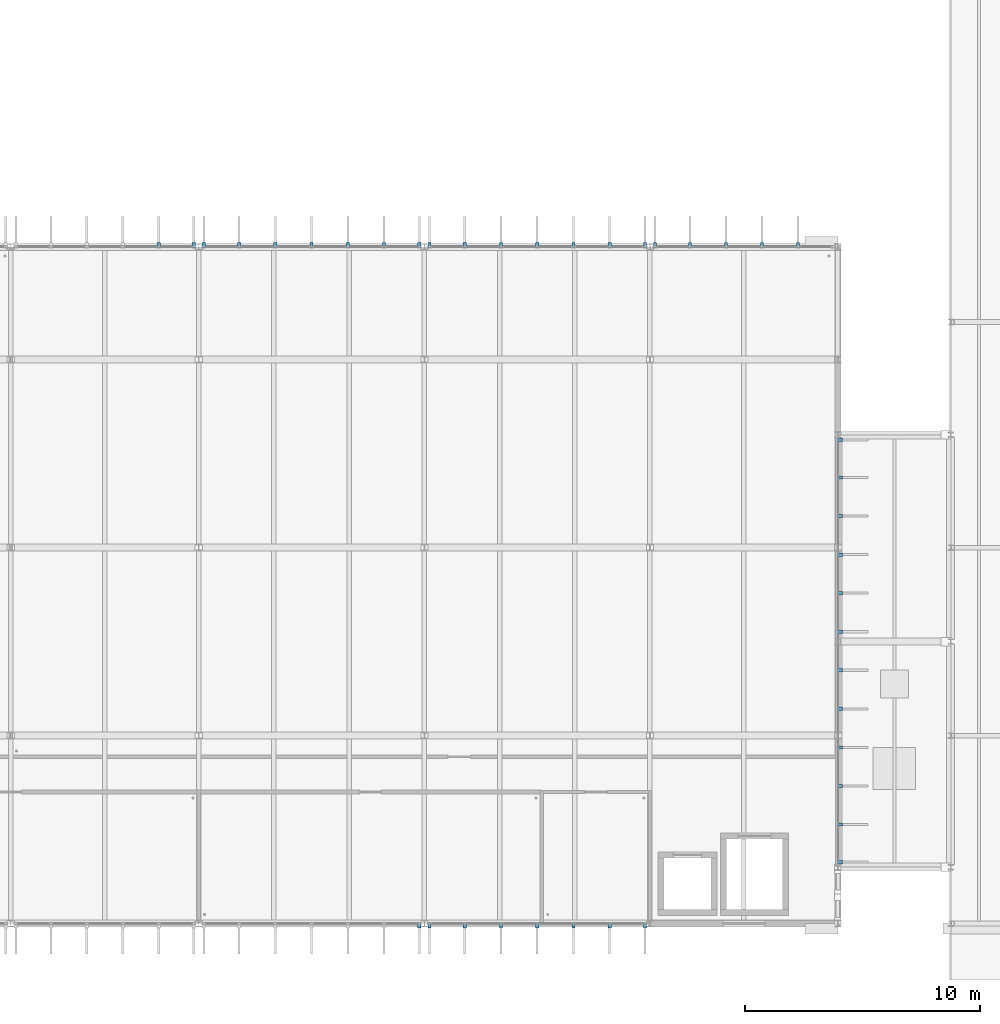
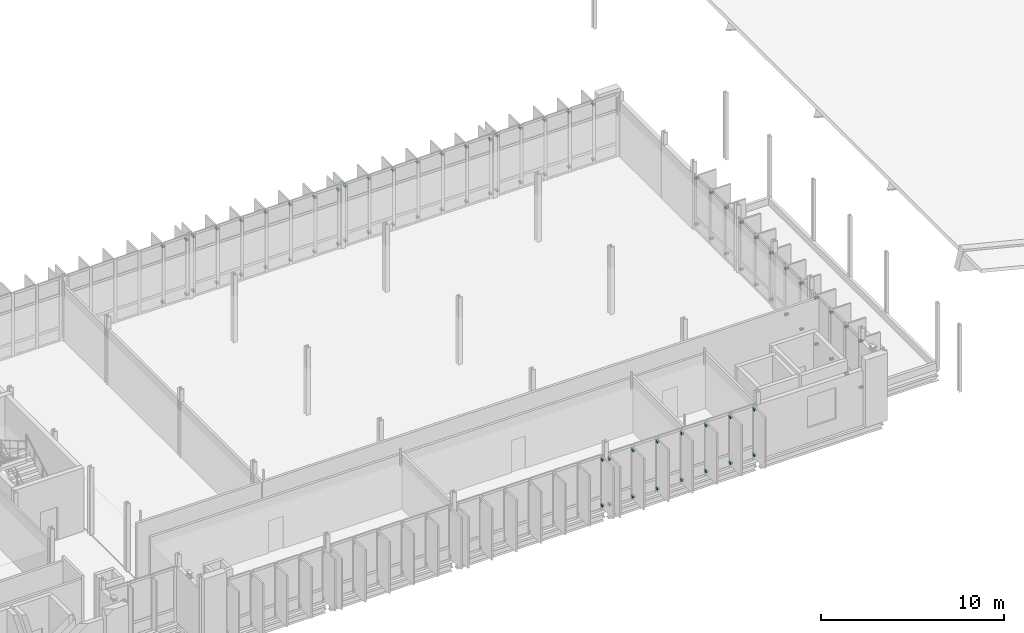
# One storey, part 82 of 93: 82 discrete accessories.
"""IFC4 building model written with IfcOpenShell, lengths in metres."""

from ifc_helpers import new_model, si_unit, direction, frame, origin, origin_2d, place, context, subcontext, project, spatial, rectangle, extrude, material, type_object, element, save


model = new_model("IFC4")

# Units and contexts
model_context = context("Model", 3, precision=1e-05, world=origin(), true_north=direction((0.0, 1.0)))
body_context = subcontext(model_context, "Body", "Model", "MODEL_VIEW")
ifc_project = project(units=[si_unit("LENGTHUNIT", "METRE"), si_unit("AREAUNIT", "SQUARE_METRE"), si_unit("VOLUMEUNIT", "CUBIC_METRE"), si_unit("PLANEANGLEUNIT", "RADIAN"), si_unit("MASSUNIT", "GRAM", prefix="KILO")], contexts=[model_context])

# Site, building, storey
site_placement = place(None, origin())
site = spatial("IfcSite", under=ifc_project, at=site_placement, CompositionType="ELEMENT")
building_placement = place(site_placement, origin())
building = spatial("IfcBuilding", under=site, at=building_placement, Name="Dunescarp Central Library", CompositionType="ELEMENT")
storey_placement = place(building_placement, frame((0.0, 0.0, 14.10009765625)))
storey = spatial("IfcBuildingStorey", under=building, at=storey_placement, Name="L03", CompositionType="ELEMENT", Elevation=14.10009765625)

# Discrete accessories
ifc_material = material(Name="Stainless steel Grade 316L", Category="steel")
discrete_accessory_type = type_object("IfcDiscreteAccessoryType", Name="ARC-ACC-BRK", PredefinedType="BRACKET", material=ifc_material)
for number, where, z_axis, x_axis, name in (
    (1, (106.985107421875, 4.719970703125, 0.27685546875), (0.0, 0.0, 1.0), (0.0, -1.0, 0.0), "Fin bracket BRK-FIN-L03-0675-B"),
    (2, (106.985107421875, 4.719970703125, 3.3447265625), (0.0, 0.0, 1.0), (0.0, -1.0, 0.0), "Fin bracket BRK-FIN-L03-0675-T"),
    (3, (116.5849609375, 4.719970703125, 0.27685546875), (0.0, 0.0, 1.0), (0.0, -1.0, 0.0), "Fin bracket BRK-FIN-L03-0682-B"),
    (4, (116.5849609375, 4.719970703125, 3.3447265625), (0.0, 0.0, 1.0), (0.0, -1.0, 0.0), "Fin bracket BRK-FIN-L03-0682-T"),
    (5, (115.0830078125, 4.719970703125, 0.2900390625), (0.0, 0.0, 1.0), (0.0, -1.0, 0.0), "Fin bracket BRK-FIN-L03-0683-B"),
    (6, (115.0830078125, 4.719970703125, 3.3447265625), (0.0, 0.0, 1.0), (0.0, -1.0, 0.0), "Fin bracket BRK-FIN-L03-0683-T"),
    (7, (113.5419921875, 4.719970703125, 0.27392578125), (0.0, 0.0, 1.0), (0.0, -1.0, 0.0), "Fin bracket BRK-FIN-L03-0684-B"),
    (8, (113.5419921875, 4.719970703125, 3.3447265625), (0.0, 0.0, 1.0), (0.0, -1.0, 0.0), "Fin bracket BRK-FIN-L03-0684-T"),
    (9, (112.0, 4.719970703125, 0.23291015625), (0.0, 0.0, 1.0), (0.0, -1.0, 0.0), "Fin bracket BRK-FIN-L03-0685-B"),
    (10, (112.0, 4.719970703125, 3.3447265625), (0.0, 0.0, 1.0), (0.0, -1.0, 0.0), "Fin bracket BRK-FIN-L03-0685-T"),
    (11, (110.4580078125, 4.719970703125, 0.18994140625), (0.0, 0.0, 1.0), (0.0, -1.0, 0.0), "Fin bracket BRK-FIN-L03-0686-B"),
    (12, (110.4580078125, 4.719970703125, 3.333984375), (0.0, 0.0, 1.0), (0.0, -1.0, 0.0), "Fin bracket BRK-FIN-L03-0686-T"),
    (13, (108.9169921875, 4.719970703125, 0.18994140625), (0.0, 0.0, 1.0), (0.0, -1.0, 0.0), "Fin bracket BRK-FIN-L03-0687-B"),
    (14, (108.9169921875, 4.719970703125, 3.2841796875), (0.0, 0.0, 1.0), (0.0, -1.0, 0.0), "Fin bracket BRK-FIN-L03-0687-T"),
    (15, (107.4150390625, 4.719970703125, 0.18994140625), (0.0, 0.0, 1.0), (0.0, -1.0, 0.0), "Fin bracket BRK-FIN-L03-0688-B"),
    (16, (107.4150390625, 4.719970703125, 3.2509765625), (0.0, 0.0, 1.0), (0.0, -1.0, 0.0), "Fin bracket BRK-FIN-L03-0688-T"),
    (17, (95.89501953125, 33.679931640625, 0.18994140625), (0.0, 0.0, 1.0), (0.0, 1.0, 0.0), "Fin bracket BRK-FIN-L03-0698-B"),
    (18, (95.89501953125, 33.679931640625, 3.9091796875), (0.0, 0.0, 1.0), (0.0, 1.0, 0.0), "Fin bracket BRK-FIN-L03-0698-T"),
    (19, (97.385009765625, 33.679931640625, 0.18994140625), (0.0, 0.0, 1.0), (0.0, 1.0, 0.0), "Fin bracket BRK-FIN-L03-0699-B"),
    (20, (97.385009765625, 33.679931640625, 3.85888671875), (0.0, 0.0, 1.0), (0.0, 1.0, 0.0), "Fin bracket BRK-FIN-L03-0699-T"),
    (21, (97.81494140625, 33.679931640625, 0.27685546875), (0.0, 0.0, 1.0), (0.0, 1.0, 0.0), "Fin bracket BRK-FIN-L03-0700-B"),
    (22, (97.81494140625, 33.679931640625, 3.919921875), (0.0, 0.0, 1.0), (0.0, 1.0, 0.0), "Fin bracket BRK-FIN-L03-0700-T"),
    (23, (99.31689453125, 33.679931640625, 0.2900390625), (0.0, 0.0, 1.0), (0.0, 1.0, 0.0), "Fin bracket BRK-FIN-L03-0701-B"),
    (24, (99.31689453125, 33.679931640625, 3.919921875), (0.0, 0.0, 1.0), (0.0, 1.0, 0.0), "Fin bracket BRK-FIN-L03-0701-T"),
    (25, (100.85791015625, 33.679931640625, 0.27392578125), (0.0, 0.0, 1.0), (0.0, 1.0, 0.0), "Fin bracket BRK-FIN-L03-0702-B"),
    (26, (100.85791015625, 33.679931640625, 3.919921875), (0.0, 0.0, 1.0), (0.0, 1.0, 0.0), "Fin bracket BRK-FIN-L03-0702-T"),
    (27, (102.39990234375, 33.679931640625, 0.23291015625), (0.0, 0.0, 1.0), (0.0, 1.0, 0.0), "Fin bracket BRK-FIN-L03-0703-B"),
    (28, (102.39990234375, 33.679931640625, 3.919921875), (0.0, 0.0, 1.0), (0.0, 1.0, 0.0), "Fin bracket BRK-FIN-L03-0703-T"),
    (29, (103.94189453125, 33.679931640625, 0.18994140625), (0.0, 0.0, 1.0), (0.0, 1.0, 0.0), "Fin bracket BRK-FIN-L03-0704-B"),
    (30, (103.94189453125, 33.679931640625, 3.9091796875), (0.0, 0.0, 1.0), (0.0, 1.0, 0.0), "Fin bracket BRK-FIN-L03-0704-T"),
    (31, (105.48291015625, 33.679931640625, 0.18994140625), (0.0, 0.0, 1.0), (0.0, 1.0, 0.0), "Fin bracket BRK-FIN-L03-0705-B"),
    (32, (105.48291015625, 33.679931640625, 3.85888671875), (0.0, 0.0, 1.0), (0.0, 1.0, 0.0), "Fin bracket BRK-FIN-L03-0705-T"),
    (33, (106.985107421875, 33.679931640625, 0.18994140625), (0.0, 0.0, 1.0), (0.0, 1.0, 0.0), "Fin bracket BRK-FIN-L03-0706-B"),
    (34, (106.985107421875, 33.679931640625, 3.826171875), (0.0, 0.0, 1.0), (0.0, 1.0, 0.0), "Fin bracket BRK-FIN-L03-0706-T"),
    (35, (107.4150390625, 33.679931640625, 0.27685546875), (0.0, 0.0, 1.0), (0.0, 1.0, 0.0), "Fin bracket BRK-FIN-L03-0707-B"),
    (36, (107.4150390625, 33.679931640625, 3.919921875), (0.0, 0.0, 1.0), (0.0, 1.0, 0.0), "Fin bracket BRK-FIN-L03-0707-T"),
    (37, (108.9169921875, 33.679931640625, 0.2900390625), (0.0, 0.0, 1.0), (0.0, 1.0, 0.0), "Fin bracket BRK-FIN-L03-0708-B"),
    (38, (108.9169921875, 33.679931640625, 3.919921875), (0.0, 0.0, 1.0), (0.0, 1.0, 0.0), "Fin bracket BRK-FIN-L03-0708-T"),
    (39, (110.4580078125, 33.679931640625, 0.27392578125), (0.0, 0.0, 1.0), (0.0, 1.0, 0.0), "Fin bracket BRK-FIN-L03-0709-B"),
    (40, (110.4580078125, 33.679931640625, 3.919921875), (0.0, 0.0, 1.0), (0.0, 1.0, 0.0), "Fin bracket BRK-FIN-L03-0709-T"),
    (41, (112.0, 33.679931640625, 0.23291015625), (0.0, 0.0, 1.0), (0.0, 1.0, 0.0), "Fin bracket BRK-FIN-L03-0710-B"),
    (42, (112.0, 33.679931640625, 3.919921875), (0.0, 0.0, 1.0), (0.0, 1.0, 0.0), "Fin bracket BRK-FIN-L03-0710-T"),
    (43, (113.5419921875, 33.679931640625, 0.18994140625), (0.0, 0.0, 1.0), (0.0, 1.0, 0.0), "Fin bracket BRK-FIN-L03-0711-B"),
    (44, (113.5419921875, 33.679931640625, 3.9091796875), (0.0, 0.0, 1.0), (0.0, 1.0, 0.0), "Fin bracket BRK-FIN-L03-0711-T"),
    (45, (115.0830078125, 33.679931640625, 0.18994140625), (0.0, 0.0, 1.0), (0.0, 1.0, 0.0), "Fin bracket BRK-FIN-L03-0712-B"),
    (46, (115.0830078125, 33.679931640625, 3.85888671875), (0.0, 0.0, 1.0), (0.0, 1.0, 0.0), "Fin bracket BRK-FIN-L03-0712-T"),
    (47, (116.5849609375, 33.679931640625, 0.18994140625), (0.0, 0.0, 1.0), (0.0, 1.0, 0.0), "Fin bracket BRK-FIN-L03-0713-B"),
    (48, (116.5849609375, 33.679931640625, 3.826171875), (0.0, 0.0, 1.0), (0.0, 1.0, 0.0), "Fin bracket BRK-FIN-L03-0713-T"),
    (49, (117.014892578125, 33.679931640625, 0.27685546875), (0.0, 0.0, 1.0), (0.0, 1.0, 0.0), "Fin bracket BRK-FIN-L03-0714-B"),
    (50, (117.014892578125, 33.679931640625, 3.919921875), (0.0, 0.0, 1.0), (0.0, 1.0, 0.0), "Fin bracket BRK-FIN-L03-0714-T"),
    (51, (118.5048828125, 33.679931640625, 0.2900390625), (0.0, 0.0, 1.0), (0.0, 1.0, 0.0), "Fin bracket BRK-FIN-L03-0715-B"),
    (52, (118.5048828125, 33.679931640625, 3.919921875), (0.0, 0.0, 1.0), (0.0, 1.0, 0.0), "Fin bracket BRK-FIN-L03-0715-T"),
    (53, (120.034912109375, 33.679931640625, 0.27392578125), (0.0, 0.0, 1.0), (0.0, 1.0, 0.0), "Fin bracket BRK-FIN-L03-0716-B"),
    (54, (120.034912109375, 33.679931640625, 3.919921875), (0.0, 0.0, 1.0), (0.0, 1.0, 0.0), "Fin bracket BRK-FIN-L03-0716-T"),
    (55, (121.56494140625, 33.679931640625, 0.23291015625), (0.0, 0.0, 1.0), (0.0, 1.0, 0.0), "Fin bracket BRK-FIN-L03-0717-B"),
    (56, (121.56494140625, 33.679931640625, 3.919921875), (0.0, 0.0, 1.0), (0.0, 1.0, 0.0), "Fin bracket BRK-FIN-L03-0717-T"),
    (57, (123.094970703125, 33.679931640625, 0.18994140625), (0.0, 0.0, 1.0), (0.0, 1.0, 0.0), "Fin bracket BRK-FIN-L03-0718-B"),
    (58, (123.094970703125, 33.679931640625, 3.9091796875), (0.0, 0.0, 1.0), (0.0, 1.0, 0.0), "Fin bracket BRK-FIN-L03-0718-T"),
    (59, (124.8798828125, 25.385009765625, 0.27685546875), (0.0, 0.0, 1.0), (1.0, 0.0, 0.0), "Fin bracket BRK-FIN-L03-0719-B"),
    (60, (124.8798828125, 25.385009765625, 3.35595703125), (0.0, 0.0, 1.0), (1.0, 0.0, 0.0), "Fin bracket BRK-FIN-L03-0719-T"),
    (61, (124.8798828125, 23.783935546875, 0.2900390625), (0.0, 0.0, 1.0), (1.0, 0.0, 0.0), "Fin bracket BRK-FIN-L03-0720-B"),
    (62, (124.8798828125, 23.783935546875, 3.35595703125), (0.0, 0.0, 1.0), (1.0, 0.0, 0.0), "Fin bracket BRK-FIN-L03-0720-T"),
    (63, (124.8798828125, 22.14306640625, 0.27392578125), (0.0, 0.0, 1.0), (1.0, 0.0, 0.0), "Fin bracket BRK-FIN-L03-0721-B"),
    (64, (124.8798828125, 22.14306640625, 3.35595703125), (0.0, 0.0, 1.0), (1.0, 0.0, 0.0), "Fin bracket BRK-FIN-L03-0721-T"),
    (65, (124.8798828125, 20.501953125, 0.23291015625), (0.0, 0.0, 1.0), (1.0, 0.0, 0.0), "Fin bracket BRK-FIN-L03-0722-B"),
    (66, (124.8798828125, 20.501953125, 3.35595703125), (0.0, 0.0, 1.0), (1.0, 0.0, 0.0), "Fin bracket BRK-FIN-L03-0722-T"),
    (67, (124.8798828125, 18.861083984375, 0.18994140625), (0.0, 0.0, 1.0), (1.0, 0.0, 0.0), "Fin bracket BRK-FIN-L03-0723-B"),
    (68, (124.8798828125, 18.861083984375, 3.3447265625), (0.0, 0.0, 1.0), (1.0, 0.0, 0.0), "Fin bracket BRK-FIN-L03-0723-T"),
    (69, (124.8798828125, 17.219970703125, 0.18994140625), (0.0, 0.0, 1.0), (1.0, 0.0, 0.0), "Fin bracket BRK-FIN-L03-0724-B"),
    (70, (124.8798828125, 17.219970703125, 3.294921875), (0.0, 0.0, 1.0), (1.0, 0.0, 0.0), "Fin bracket BRK-FIN-L03-0724-T"),
    (71, (124.8798828125, 15.580078125, 0.18994140625), (0.0, 0.0, 1.0), (1.0, 0.0, 0.0), "Fin bracket BRK-FIN-L03-0725-B"),
    (72, (124.8798828125, 15.580078125, 3.26171875), (0.0, 0.0, 1.0), (1.0, 0.0, 0.0), "Fin bracket BRK-FIN-L03-0725-T"),
    (73, (124.8798828125, 13.93896484375, 0.18994140625), (0.0, 0.0, 1.0), (1.0, 0.0, 0.0), "Fin bracket BRK-FIN-L03-0726-B"),
    (74, (124.8798828125, 13.93896484375, 3.2578125), (0.0, 0.0, 1.0), (1.0, 0.0, 0.0), "Fin bracket BRK-FIN-L03-0726-T"),
    (75, (124.8798828125, 12.298095703125, 0.18994140625), (0.0, 0.0, 1.0), (1.0, 0.0, 0.0), "Fin bracket BRK-FIN-L03-0727-B"),
    (76, (124.8798828125, 12.298095703125, 3.28173828125), (0.0, 0.0, 1.0), (1.0, 0.0, 0.0), "Fin bracket BRK-FIN-L03-0727-T"),
    (77, (124.8798828125, 10.656982421875, 0.18994140625), (0.0, 0.0, 1.0), (1.0, 0.0, 0.0), "Fin bracket BRK-FIN-L03-0728-B"),
    (78, (124.8798828125, 10.656982421875, 3.328125), (0.0, 0.0, 1.0), (1.0, 0.0, 0.0), "Fin bracket BRK-FIN-L03-0728-T"),
    (79, (124.8798828125, 9.01611328125, 0.2158203125), (0.0, 0.0, 1.0), (1.0, 0.0, 0.0), "Fin bracket BRK-FIN-L03-0729-B"),
    (80, (124.8798828125, 9.01611328125, 3.35595703125), (0.0, 0.0, 1.0), (1.0, 0.0, 0.0), "Fin bracket BRK-FIN-L03-0729-T"),
    (81, (124.8798828125, 7.4150390625, 0.26318359375), (0.0, 0.0, 1.0), (1.0, 0.0, 0.0), "Fin bracket BRK-FIN-L03-0730-B"),
    (82, (124.8798828125, 7.4150390625, 3.35595703125), (0.0, 0.0, 1.0), (1.0, 0.0, 0.0), "Fin bracket BRK-FIN-L03-0730-T"),
):
    element("IfcDiscreteAccessory", number, at=place(storey_placement, frame(where, z_axis=z_axis, x_axis=x_axis)), inside=storey, type_object=discrete_accessory_type, Name=name, PredefinedType="BRACKET", context=body_context, shape_type="SweptSolid", body=[
        extrude(rectangle(XDim=0.219970703125, YDim=0.139892578125, at=origin_2d()), origin(), (0.0, 0.0, 1.0), 0.139892578125),
    ])

save(model, "model.ifc")
